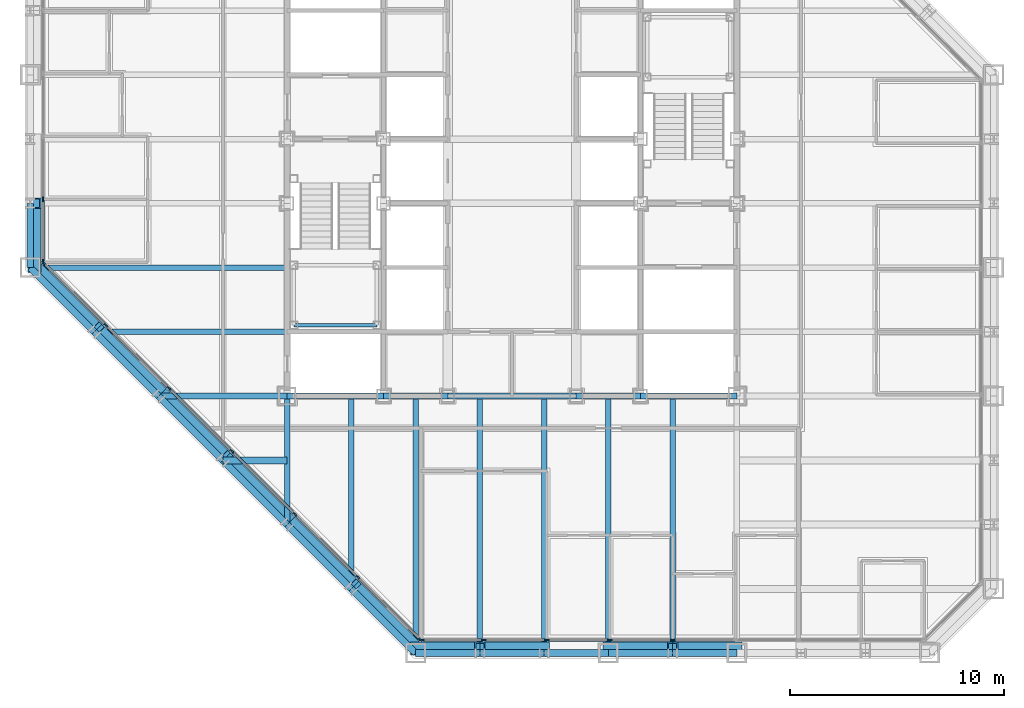
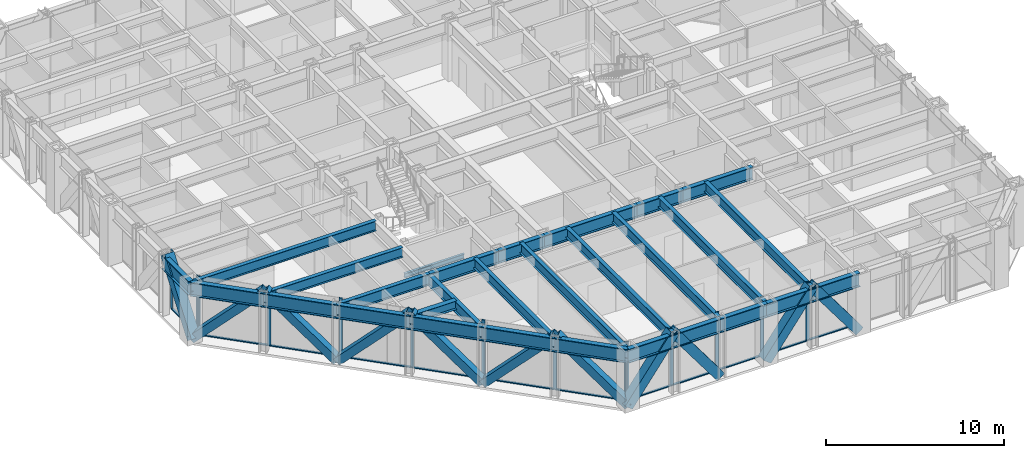
# One storey, part 4 of 16: 37 members, 29 beams, 3 elements without a shape of their own.
"""IFC4 building model written with IfcOpenShell, lengths in metres."""

from ifc_helpers import new_model, si_unit, direction, frame, origin, origin_2d, place, context, subcontext, project, spatial, rectangle, hollow_rectangle, i_section, extrude, material, layer, layer_set, material_profile, profile_set, type_object, element, aggregate, save


model = new_model("IFC4")

# Units and contexts
model_context = context("Model", 3, precision=1e-05, world=origin(), true_north=direction((0.0, 1.0)))
body_context = subcontext(model_context, "Body", "Model", "MODEL_VIEW")
ifc_project = project(units=[si_unit("LENGTHUNIT", "METRE"), si_unit("AREAUNIT", "SQUARE_METRE"), si_unit("VOLUMEUNIT", "CUBIC_METRE"), si_unit("PLANEANGLEUNIT", "RADIAN"), si_unit("MASSUNIT", "GRAM", prefix="KILO")], contexts=[model_context])

# Site, building, storey
site_placement = place(None, origin())
site = spatial("IfcSite", under=ifc_project, at=site_placement, CompositionType="ELEMENT")
building_placement = place(site_placement, origin())
building = spatial("IfcBuilding", under=site, at=building_placement, Name="Chuquiago Exchange Tower", CompositionType="ELEMENT")
storey_placement = place(building_placement, frame((0.0, 0.0, 144.60009765625)))
storey = spatial("IfcBuildingStorey", under=building, at=storey_placement, Name="L31", CompositionType="ELEMENT", Elevation=144.60009765625)

# Beams
ifc_material_1 = material(Name="Steel ASTM A992", Category="steel")
ifc_material_profile_1 = material_profile(ifc_material_1, i_section(OverallWidth=0.25390625, OverallDepth=0.683349609375, WebThickness=0.012451171875, FlangeThickness=0.018798828125, at=origin_2d()), Name="W27X94")
ifc_profile_set_1 = profile_set([ifc_material_profile_1], Name="Steel ASTM A992")
beam_type_1 = type_object("IfcBeamType", Name="B1 W27X94", PredefinedType="BEAM", material=ifc_profile_set_1)
beam_1_placement = place(storey_placement, frame((15.0, 12.0, 3.6982421875), z_axis=(0.0, -1.0, 0.0), x_axis=(1.0, 0.0, 0.0)))
element("IfcBeam", 1, at=beam_1_placement, inside=storey, type_object=beam_type_1, Name="FB-L32-infill-15_12-15_3-0", PredefinedType="BEAM", context=body_context, shape_type="SweptSolid", body=[
    extrude(i_section(OverallWidth=0.25390625, OverallDepth=0.683349609375, WebThickness=0.012451171875, FlangeThickness=0.018798828125, at=origin_2d()), origin(), (0.0, 0.0, 1.0), 9.0),
])
for number, where, z_axis, x_axis, name in (
    (2, (18.0, 12.0, 3.6982421875), (0.0, -1.0, 0.0), (1.0, 0.0, 0.0), "FB-L32-infill-18_12-18_-0-0"),
    (3, (21.0, 12.0, 3.6982421875), (0.0, -1.0, 0.0), (1.0, 0.0, 0.0), "FB-L32-infill-21_12-21_-0-0"),
    (4, (24.0, 12.0, 3.6982421875), (0.0, -1.0, 0.0), (1.0, 0.0, 0.0), "FB-L32-infill-24_12-24_-0-0"),
    (5, (27.0, 12.0, 3.6982421875), (0.0, -1.0, 0.0), (1.0, 0.0, 0.0), "FB-L32-infill-27_12-27_-0-0"),
    (6, (30.0, 12.0, 3.6982421875), (0.0, -1.0, 0.0), (1.0, 0.0, 0.0), "FB-L32-infill-30_12-30_-0-0"),
):
    element("IfcBeam", number, at=place(storey_placement, frame(where, z_axis=z_axis, x_axis=x_axis)), inside=storey, type_object=beam_type_1, Name=name, PredefinedType="BEAM", context=body_context, shape_type="SweptSolid", body=[
        extrude(i_section(OverallWidth=0.25390625, OverallDepth=0.683349609375, WebThickness=0.012451171875, FlangeThickness=0.018798828125, at=origin_2d()), origin(), (0.0, 0.0, 1.0), 12.0),
    ])
beam_2_placement = place(storey_placement, frame((12.0, 15.0, 3.6982421875), z_axis=(-1.0, 0.0, 0.0), x_axis=(0.0, -1.0, 0.0)))
element("IfcBeam", 7, at=beam_2_placement, inside=storey, type_object=beam_type_1, Name="FB-L32-infill-12_15-3_15-0", PredefinedType="BEAM", context=body_context, shape_type="SweptSolid", body=[
    extrude(i_section(OverallWidth=0.25390625, OverallDepth=0.683349609375, WebThickness=0.012451171875, FlangeThickness=0.018798828125, at=origin_2d()), origin(), (0.0, 0.0, 1.0), 9.0),
])
beam_3_placement = place(storey_placement, frame((12.0, 18.0, 3.6982421875), z_axis=(-1.0, 0.0, 0.0), x_axis=(0.0, -1.0, 0.0)))
element("IfcBeam", 8, at=beam_3_placement, inside=storey, type_object=beam_type_1, Name="FB-L32-infill-12_18--0_18-0", PredefinedType="BEAM", context=body_context, shape_type="SweptSolid", body=[
    extrude(i_section(OverallWidth=0.25390625, OverallDepth=0.683349609375, WebThickness=0.012451171875, FlangeThickness=0.018798828125, at=origin_2d()), origin(), (0.0, 0.0, 1.0), 12.0),
])
ifc_material_2 = material(Name="Steel ASTM A992", Category="steel")
ifc_material_profile_2 = material_profile(ifc_material_2, i_section(OverallWidth=0.3251953125, OverallDepth=0.612060546875, WebThickness=0.0126953125, FlangeThickness=0.01904296875, at=origin_2d()), Name="W24X104")
ifc_profile_set_2 = profile_set([ifc_material_profile_2], Name="Steel ASTM A992")
beam_type_2 = type_object("IfcBeamType", Name="B2 W24X104", PredefinedType="BEAM", material=ifc_profile_set_2)
beam_4_placement = place(storey_placement, frame((12.0, 9.0, 3.73388671875), z_axis=(-1.0, 0.0, 0.0), x_axis=(0.0, -1.0, 0.0)))
element("IfcBeam", 9, at=beam_4_placement, inside=storey, type_object=beam_type_2, Name="FB-L32-corner-12_9-9_9-0", PredefinedType="BEAM", context=body_context, shape_type="SweptSolid", body=[
    extrude(i_section(OverallWidth=0.3251953125, OverallDepth=0.612060546875, WebThickness=0.0126953125, FlangeThickness=0.01904296875, at=origin_2d()), origin(), (0.0, 0.0, 1.0), 3.0),
])
ifc_material_3 = material(Name="Steel ASTM A992", Category="steel")
ifc_material_profile_3 = material_profile(ifc_material_3, i_section(OverallWidth=0.2919921875, OverallDepth=0.8583984375, WebThickness=0.01708984375, FlangeThickness=0.031005859375, at=origin_2d()), Name="W33X169")
ifc_profile_set_3 = profile_set([ifc_material_profile_3], Name="Steel ASTM A992")
beam_type_3 = type_object("IfcBeamType", Name="B3 W33X169", PredefinedType="BEAM", material=ifc_profile_set_3)
beam_5_placement = place(storey_placement, frame((12.0, 12.0, 3.610595703125), z_axis=(1.0, 0.0, 0.0), x_axis=(0.0, 1.0, 0.0)))
element("IfcBeam", 10, at=beam_5_placement, inside=storey, type_object=beam_type_3, Name="CB-L32-12_12-16.5_12", PredefinedType="BEAM", context=body_context, shape_type="SweptSolid", body=[
    extrude(i_section(OverallWidth=0.2919921875, OverallDepth=0.8583984375, WebThickness=0.01708984375, FlangeThickness=0.031005859375, at=origin_2d()), origin(), (0.0, 0.0, 1.0), 4.5),
])
beam_6_placement = place(storey_placement, frame((16.5, 12.0, 3.610595703125), z_axis=(1.0, 0.0, 0.0), x_axis=(0.0, 1.0, 0.0)))
element("IfcBeam", 11, at=beam_6_placement, inside=storey, type_object=beam_type_3, Name="CB-L32-16.5_12-19.5_12", PredefinedType="BEAM", context=body_context, shape_type="SweptSolid", body=[
    extrude(i_section(OverallWidth=0.2919921875, OverallDepth=0.8583984375, WebThickness=0.01708984375, FlangeThickness=0.031005859375, at=origin_2d()), origin(), (0.0, 0.0, 1.0), 3.0),
])
beam_7_placement = place(storey_placement, frame((19.5, 12.0, 3.610595703125), z_axis=(1.0, 0.0, 0.0), x_axis=(0.0, 1.0, 0.0)))
element("IfcBeam", 12, at=beam_7_placement, inside=storey, type_object=beam_type_3, Name="CB-L32-19.5_12-25.5_12", PredefinedType="BEAM", context=body_context, shape_type="SweptSolid", body=[
    extrude(i_section(OverallWidth=0.2919921875, OverallDepth=0.8583984375, WebThickness=0.01708984375, FlangeThickness=0.031005859375, at=origin_2d()), origin(), (0.0, 0.0, 1.0), 6.0),
])
beam_8_placement = place(storey_placement, frame((25.5, 12.0, 3.610595703125), z_axis=(1.0, 0.0, 0.0), x_axis=(0.0, 1.0, 0.0)))
element("IfcBeam", 13, at=beam_8_placement, inside=storey, type_object=beam_type_3, Name="CB-L32-25.5_12-28.5_12", PredefinedType="BEAM", context=body_context, shape_type="SweptSolid", body=[
    extrude(i_section(OverallWidth=0.2919921875, OverallDepth=0.8583984375, WebThickness=0.01708984375, FlangeThickness=0.031005859375, at=origin_2d()), origin(), (0.0, 0.0, 1.0), 3.0),
])
beam_9_placement = place(storey_placement, frame((28.5, 12.0, 3.610595703125), z_axis=(1.0, 0.0, 0.0), x_axis=(0.0, 1.0, 0.0)))
element("IfcBeam", 14, at=beam_9_placement, inside=storey, type_object=beam_type_3, Name="CB-L32-28.5_12-33_12", PredefinedType="BEAM", context=body_context, shape_type="SweptSolid", body=[
    extrude(i_section(OverallWidth=0.2919921875, OverallDepth=0.8583984375, WebThickness=0.01708984375, FlangeThickness=0.031005859375, at=origin_2d()), origin(), (0.0, 0.0, 1.0), 4.5),
])

# Curtain wall, members
ifc_material_4 = material(Name="Aluminium curtain wall system", Category="aluminium")
ifc_layer_1 = layer(ifc_material_4, 0.22509765625)
ifc_layer_set_1 = layer_set([ifc_layer_1], Name="CW2 office curtain wall")
curtain_wall_type_1 = type_object("IfcCurtainWallType", Name="CW2 office curtain wall", PredefinedType="NOTDEFINED", material=ifc_layer_set_1)
curtain_wall_1_placement = place(storey_placement, origin())
curtain_wall_1 = element("IfcCurtainWall", 15, at=curtain_wall_1_placement, inside=storey, type_object=curtain_wall_type_1, Name="CW2 curtain wall L31", PredefinedType="NOTDEFINED")
ifc_material_5 = material(Name="Aluminium mullion, pale anodised", Category="aluminium")
ifc_material_profile_4 = material_profile(ifc_material_5, rectangle(XDim=0.06494140625, YDim=0.22509765625, at=origin_2d()), Name="AL 65x225")
ifc_profile_set_4 = profile_set([ifc_material_profile_4], Name="Aluminium mullion, pale anodised")
member_type_1 = type_object("IfcMemberType", Name="CW2-M mullion 65x225", PredefinedType="MULLION", material=ifc_profile_set_4)
member_1_placement = place(storey_placement, frame((18.281005859375, 0.60009765625, 0.0), z_axis=(0.0, 0.0, 1.0), x_axis=(0.0, 1.0, 0.0)))
member_1 = element("IfcMember", 16, at=member_1_placement, type_object=member_type_1, Name="CW2 mullion 1", PredefinedType="MULLION", context=body_context, shape_type="SweptSolid", body=[
    extrude(rectangle(XDim=0.06494140625, YDim=0.22509765625, at=origin_2d()), origin(), (0.0, 0.0, 1.0), 4.039794921875),
])
member_2_placement = place(storey_placement, frame((21.186279296875, 0.60009765625, 0.0), z_axis=(0.0, 0.0, 1.0), x_axis=(0.0, 1.0, 0.0)))
member_2 = element("IfcMember", 17, at=member_2_placement, type_object=member_type_1, Name="CW2 mullion 2", PredefinedType="MULLION", context=body_context, shape_type="SweptSolid", body=[
    extrude(rectangle(XDim=0.06494140625, YDim=0.22509765625, at=origin_2d()), origin(), (0.0, 0.0, 1.0), 4.039794921875),
])
member_3_placement = place(storey_placement, frame((24.124267578125, 0.60009765625, 0.0), z_axis=(0.0, 0.0, 1.0), x_axis=(0.0, 1.0, 0.0)))
member_3 = element("IfcMember", 18, at=member_3_placement, type_object=member_type_1, Name="CW2 mullion 3", PredefinedType="MULLION", context=body_context, shape_type="SweptSolid", body=[
    extrude(rectangle(XDim=0.06494140625, YDim=0.22509765625, at=origin_2d()), origin(), (0.0, 0.0, 1.0), 4.039794921875),
])
member_4_placement = place(storey_placement, frame((27.06201171875, 0.60009765625, 0.0), z_axis=(0.0, 0.0, 1.0), x_axis=(0.0, 1.0, 0.0)))
member_4 = element("IfcMember", 19, at=member_4_placement, type_object=member_type_1, Name="CW2 mullion 4", PredefinedType="MULLION", context=body_context, shape_type="SweptSolid", body=[
    extrude(rectangle(XDim=0.06494140625, YDim=0.22509765625, at=origin_2d()), origin(), (0.0, 0.0, 1.0), 4.039794921875),
])
member_5_placement = place(storey_placement, frame((30.0, 0.60009765625, 0.0), z_axis=(0.0, 0.0, 1.0), x_axis=(0.0, 1.0, 0.0)))
member_5 = element("IfcMember", 20, at=member_5_placement, type_object=member_type_1, Name="CW2 mullion 5", PredefinedType="MULLION", context=body_context, shape_type="SweptSolid", body=[
    extrude(rectangle(XDim=0.06494140625, YDim=0.22509765625, at=origin_2d()), origin(), (0.0, 0.0, 1.0), 4.039794921875),
])

curtain_wall_2_placement = place(storey_placement, origin())
curtain_wall_2 = element("IfcCurtainWall", 21, at=curtain_wall_2_placement, inside=storey, type_object=curtain_wall_type_1, Name="CW2 curtain wall L31", PredefinedType="NOTDEFINED")
member_6_placement = place(storey_placement, frame((0.60009765625, 21.186279296875, 0.0), z_axis=(0.0, 0.0, 1.0), x_axis=(1.0, 0.0, 0.0)))
member_6 = element("IfcMember", 22, at=member_6_placement, type_object=member_type_1, Name="CW2 mullion 8", PredefinedType="MULLION", context=body_context, shape_type="SweptSolid", body=[
    extrude(rectangle(XDim=0.06494140625, YDim=0.22509765625, at=origin_2d()), origin(), (0.0, 0.0, 1.0), 4.039794921875),
])
member_7_placement = place(storey_placement, frame((0.60009765625, 18.281005859375, 0.0), z_axis=(0.0, 0.0, 1.0), x_axis=(1.0, 0.0, 0.0)))
member_7 = element("IfcMember", 23, at=member_7_placement, type_object=member_type_1, Name="CW2 mullion 9", PredefinedType="MULLION", context=body_context, shape_type="SweptSolid", body=[
    extrude(rectangle(XDim=0.06494140625, YDim=0.22509765625, at=origin_2d()), origin(), (0.0, 0.0, 1.0), 4.039794921875),
])

# Member
ifc_material_6 = material(Name="Aluminium transom, pale anodised", Category="aluminium")
ifc_material_profile_5 = material_profile(ifc_material_6, rectangle(XDim=0.139892578125, YDim=0.06494140625, at=origin_2d()), Name="AL 140x65")
ifc_profile_set_5 = profile_set([ifc_material_profile_5], Name="Aluminium transom, pale anodised")
member_type_2 = type_object("IfcMemberType", Name="CW2-T transom 65x140", PredefinedType="MULLION", material=ifc_profile_set_5)
member_8_placement = place(storey_placement, frame((18.3134765625, 0.60009765625, 0.032470703125), z_axis=(1.0, 0.0, 0.0), x_axis=(0.0, 1.0, 0.0)))
member_8 = element("IfcMember", 24, at=member_8_placement, type_object=member_type_2, Name="CW2 transom 1.1", PredefinedType="MULLION", context=body_context, shape_type="SweptSolid", body=[
    extrude(rectangle(XDim=0.139892578125, YDim=0.06494140625, at=origin_2d()), origin(), (0.0, 0.0, 1.0), 2.84033203125),
])

member_9_placement = place(storey_placement, frame((21.218994140625, 0.60009765625, 0.032470703125), z_axis=(1.0, 0.0, 0.0), x_axis=(0.0, 1.0, 0.0)))
member_9 = element("IfcMember", 25, at=member_9_placement, type_object=member_type_2, Name="CW2 transom 2.1", PredefinedType="MULLION", context=body_context, shape_type="SweptSolid", body=[
    extrude(rectangle(XDim=0.139892578125, YDim=0.06494140625, at=origin_2d()), origin(), (0.0, 0.0, 1.0), 2.872802734375),
])

member_10_placement = place(storey_placement, frame((24.15673828125, 0.60009765625, 0.032470703125), z_axis=(1.0, 0.0, 0.0), x_axis=(0.0, 1.0, 0.0)))
member_10 = element("IfcMember", 26, at=member_10_placement, type_object=member_type_2, Name="CW2 transom 3.1", PredefinedType="MULLION", context=body_context, shape_type="SweptSolid", body=[
    extrude(rectangle(XDim=0.139892578125, YDim=0.06494140625, at=origin_2d()), origin(), (0.0, 0.0, 1.0), 2.872802734375),
])

member_11_placement = place(storey_placement, frame((27.0947265625, 0.60009765625, 0.032470703125), z_axis=(1.0, 0.0, 0.0), x_axis=(0.0, 1.0, 0.0)))
member_11 = element("IfcMember", 27, at=member_11_placement, type_object=member_type_2, Name="CW2 transom 4.1", PredefinedType="MULLION", context=body_context, shape_type="SweptSolid", body=[
    extrude(rectangle(XDim=0.139892578125, YDim=0.06494140625, at=origin_2d()), origin(), (0.0, 0.0, 1.0), 2.872802734375),
])

member_12_placement = place(storey_placement, frame((30.032470703125, 0.60009765625, 0.032470703125), z_axis=(1.0, 0.0, 0.0), x_axis=(0.0, 1.0, 0.0)))
member_12 = element("IfcMember", 28, at=member_12_placement, type_object=member_type_2, Name="CW2 transom 5.1", PredefinedType="MULLION", context=body_context, shape_type="SweptSolid", body=[
    extrude(rectangle(XDim=0.139892578125, YDim=0.06494140625, at=origin_2d()), origin(), (0.0, 0.0, 1.0), 2.872802734375),
])

aggregate(curtain_wall_1, [member_1, member_2, member_3, member_4, member_5, member_8, member_9, member_10, member_11, member_12])

member_13_placement = place(storey_placement, frame((0.60009765625, 21.15380859375, 0.032470703125), z_axis=(0.0, -1.0, 0.0), x_axis=(1.0, 0.0, 0.0)))
member_13 = element("IfcMember", 29, at=member_13_placement, type_object=member_type_2, Name="CW2 transom 8.1", PredefinedType="MULLION", context=body_context, shape_type="SweptSolid", body=[
    extrude(rectangle(XDim=0.139892578125, YDim=0.06494140625, at=origin_2d()), origin(), (0.0, 0.0, 1.0), 2.84033203125),
])

aggregate(curtain_wall_2, [member_6, member_7, member_13])

# Curtain wall, members
ifc_material_7 = material(Name="Aluminium curtain wall system", Category="aluminium")
ifc_layer_2 = layer(ifc_material_7, 0.199951171875)
ifc_layer_set_2 = layer_set([ifc_layer_2], Name="CW3 facet curtain wall")
curtain_wall_type_2 = type_object("IfcCurtainWallType", Name="CW3 facet curtain wall", PredefinedType="NOTDEFINED", material=ifc_layer_set_2)
curtain_wall_3_placement = place(storey_placement, origin())
curtain_wall_3 = element("IfcCurtainWall", 30, at=curtain_wall_3_placement, inside=storey, type_object=curtain_wall_type_2, Name="CW3 curtain wall L31", PredefinedType="NOTDEFINED")
ifc_material_8 = material(Name="Aluminium mullion, pale anodised", Category="aluminium")
ifc_material_profile_6 = material_profile(ifc_material_8, rectangle(XDim=0.06494140625, YDim=0.199951171875, at=origin_2d()), Name="AL 65x200")
ifc_profile_set_6 = profile_set([ifc_material_profile_6], Name="Aluminium mullion, pale anodised")
member_type_3 = type_object("IfcMemberType", Name="CW3-M mullion 65x200", PredefinedType="MULLION", material=ifc_profile_set_6)
member_14_placement = place(storey_placement, frame((0.623046875, 18.2255859375, 0.0), z_axis=(0.0, 0.0, 1.0), x_axis=(0.707106781187, 0.707106781187, 0.0)))
member_14 = element("IfcMember", 31, at=member_14_placement, type_object=member_type_3, Name="CW3 mullion 1", PredefinedType="MULLION", context=body_context, shape_type="SweptSolid", body=[
    extrude(rectangle(XDim=0.06494140625, YDim=0.199951171875, at=origin_2d()), origin(), (0.0, 0.0, 1.0), 4.039794921875),
])
member_15_placement = place(storey_placement, frame((3.54150390625, 15.30712890625, 0.0), z_axis=(0.0, 0.0, 1.0), x_axis=(0.707106781187, 0.707106781187, 0.0)))
member_15 = element("IfcMember", 32, at=member_15_placement, type_object=member_type_3, Name="CW3 mullion 2", PredefinedType="MULLION", context=body_context, shape_type="SweptSolid", body=[
    extrude(rectangle(XDim=0.06494140625, YDim=0.199951171875, at=origin_2d()), origin(), (0.0, 0.0, 1.0), 4.039794921875),
])
member_16_placement = place(storey_placement, frame((6.48291015625, 12.36572265625, 0.0), z_axis=(0.0, 0.0, 1.0), x_axis=(0.707106781187, 0.707106781187, 0.0)))
member_16 = element("IfcMember", 33, at=member_16_placement, type_object=member_type_3, Name="CW3 mullion 3", PredefinedType="MULLION", context=body_context, shape_type="SweptSolid", body=[
    extrude(rectangle(XDim=0.06494140625, YDim=0.199951171875, at=origin_2d()), origin(), (0.0, 0.0, 1.0), 4.039794921875),
])
member_17_placement = place(storey_placement, frame((9.42431640625, 9.42431640625, 0.0), z_axis=(0.0, 0.0, 1.0), x_axis=(0.707106781187, 0.707106781187, 0.0)))
member_17 = element("IfcMember", 34, at=member_17_placement, type_object=member_type_3, Name="CW3 mullion 4", PredefinedType="MULLION", context=body_context, shape_type="SweptSolid", body=[
    extrude(rectangle(XDim=0.06494140625, YDim=0.199951171875, at=origin_2d()), origin(), (0.0, 0.0, 1.0), 4.039794921875),
])
member_18_placement = place(storey_placement, frame((12.36572265625, 6.48291015625, 0.0), z_axis=(0.0, 0.0, 1.0), x_axis=(0.707106781187, 0.707106781187, 0.0)))
member_18 = element("IfcMember", 35, at=member_18_placement, type_object=member_type_3, Name="CW3 mullion 5", PredefinedType="MULLION", context=body_context, shape_type="SweptSolid", body=[
    extrude(rectangle(XDim=0.06494140625, YDim=0.199951171875, at=origin_2d()), origin(), (0.0, 0.0, 1.0), 4.039794921875),
])
member_19_placement = place(storey_placement, frame((15.30712890625, 3.54150390625, 0.0), z_axis=(0.0, 0.0, 1.0), x_axis=(0.707106781187, 0.707106781187, 0.0)))
member_19 = element("IfcMember", 36, at=member_19_placement, type_object=member_type_3, Name="CW3 mullion 6", PredefinedType="MULLION", context=body_context, shape_type="SweptSolid", body=[
    extrude(rectangle(XDim=0.06494140625, YDim=0.199951171875, at=origin_2d()), origin(), (0.0, 0.0, 1.0), 4.039794921875),
])
member_20_placement = place(storey_placement, frame((18.2255859375, 0.623046875, 0.0), z_axis=(0.0, 0.0, 1.0), x_axis=(0.707106781187, 0.707106781187, 0.0)))
member_20 = element("IfcMember", 37, at=member_20_placement, type_object=member_type_3, Name="CW3 mullion 7", PredefinedType="MULLION", context=body_context, shape_type="SweptSolid", body=[
    extrude(rectangle(XDim=0.06494140625, YDim=0.199951171875, at=origin_2d()), origin(), (0.0, 0.0, 1.0), 4.039794921875),
])
ifc_material_9 = material(Name="Aluminium transom, pale anodised", Category="aluminium")
ifc_material_profile_7 = material_profile(ifc_material_9, rectangle(XDim=0.139892578125, YDim=0.06494140625, at=origin_2d()), Name="AL 140x65")
ifc_profile_set_7 = profile_set([ifc_material_profile_7], Name="Aluminium transom, pale anodised")
member_type_4 = type_object("IfcMemberType", Name="CW3-T transom 65x140", PredefinedType="MULLION", material=ifc_profile_set_7)
member_21_placement = place(storey_placement, frame((0.64599609375, 18.20263671875, 0.032470703125), z_axis=(0.707106781187, -0.707106781187, 0.0), x_axis=(0.707106781187, 0.707106781187, 0.0)))
member_21 = element("IfcMember", 38, at=member_21_placement, type_object=member_type_4, Name="CW3 transom 1.1", PredefinedType="MULLION", context=body_context, shape_type="SweptSolid", body=[
    extrude(rectangle(XDim=0.139892578125, YDim=0.06494140625, at=origin_2d()), origin(), (0.0, 0.0, 1.0), 4.0625),
])
member_22_placement = place(storey_placement, frame((3.564453125, 15.2841796875, 0.032470703125), z_axis=(0.707106781187, -0.707106781187, 0.0), x_axis=(0.707106781187, 0.707106781187, 0.0)))
member_22 = element("IfcMember", 39, at=member_22_placement, type_object=member_type_4, Name="CW3 transom 2.1", PredefinedType="MULLION", context=body_context, shape_type="SweptSolid", body=[
    extrude(rectangle(XDim=0.139892578125, YDim=0.06494140625, at=origin_2d()), origin(), (0.0, 0.0, 1.0), 4.094970703125),
])
member_23_placement = place(storey_placement, frame((6.505859375, 12.3427734375, 0.032470703125), z_axis=(0.707106781187, -0.707106781187, 0.0), x_axis=(0.707106781187, 0.707106781187, 0.0)))
member_23 = element("IfcMember", 40, at=member_23_placement, type_object=member_type_4, Name="CW3 transom 3.1", PredefinedType="MULLION", context=body_context, shape_type="SweptSolid", body=[
    extrude(rectangle(XDim=0.139892578125, YDim=0.06494140625, at=origin_2d()), origin(), (0.0, 0.0, 1.0), 4.094970703125),
])
member_24_placement = place(storey_placement, frame((9.447265625, 9.4013671875, 0.032470703125), z_axis=(0.707106781187, -0.707106781187, 0.0), x_axis=(0.707106781187, 0.707106781187, 0.0)))
member_24 = element("IfcMember", 41, at=member_24_placement, type_object=member_type_4, Name="CW3 transom 4.1", PredefinedType="MULLION", context=body_context, shape_type="SweptSolid", body=[
    extrude(rectangle(XDim=0.139892578125, YDim=0.06494140625, at=origin_2d()), origin(), (0.0, 0.0, 1.0), 4.094970703125),
])
member_25_placement = place(storey_placement, frame((12.388671875, 6.4599609375, 0.032470703125), z_axis=(0.707106781187, -0.707106781187, 0.0), x_axis=(0.707106781187, 0.707106781187, 0.0)))
member_25 = element("IfcMember", 42, at=member_25_placement, type_object=member_type_4, Name="CW3 transom 5.1", PredefinedType="MULLION", context=body_context, shape_type="SweptSolid", body=[
    extrude(rectangle(XDim=0.139892578125, YDim=0.06494140625, at=origin_2d()), origin(), (0.0, 0.0, 1.0), 4.094970703125),
])
member_26_placement = place(storey_placement, frame((15.330078125, 3.5185546875, 0.032470703125), z_axis=(0.707106781187, -0.707106781187, 0.0), x_axis=(0.707106781187, 0.707106781187, 0.0)))
member_26 = element("IfcMember", 43, at=member_26_placement, type_object=member_type_4, Name="CW3 transom 6.1", PredefinedType="MULLION", context=body_context, shape_type="SweptSolid", body=[
    extrude(rectangle(XDim=0.139892578125, YDim=0.06494140625, at=origin_2d()), origin(), (0.0, 0.0, 1.0), 4.0625),
])
aggregate(curtain_wall_3, [member_14, member_15, member_16, member_17, member_18, member_19, member_20, member_21, member_22, member_23, member_24, member_25, member_26])

# Beams
ifc_material_10 = material(Name="Steel ASTM A992", Category="steel")
ifc_material_profile_8 = material_profile(ifc_material_10, i_section(OverallWidth=0.2666015625, OverallDepth=0.76953125, WebThickness=0.015625, FlangeThickness=0.025390625, at=origin_2d()), Name="W30X132")
ifc_profile_set_8 = profile_set([ifc_material_profile_8], Name="Steel ASTM A992")
beam_type_4 = type_object("IfcBeamType", Name="G1 W30X132", PredefinedType="BEAM", material=ifc_profile_set_8)
for number, where, z_axis, x_axis, name in (
    (44, (12.0, 12.0, 3.655029296875), (0.0, -1.0, 0.0), (1.0, 0.0, 0.0), "FB-L32-girder-12_12-12_6-0"),
    (45, (12.0, 12.0, 3.655029296875), (-1.0, 0.0, 0.0), (0.0, -1.0, 0.0), "FB-L32-girder-12_12-6_12-0"),
):
    element("IfcBeam", number, at=place(storey_placement, frame(where, z_axis=z_axis, x_axis=x_axis)), inside=storey, type_object=beam_type_4, Name=name, PredefinedType="BEAM", context=body_context, shape_type="SweptSolid", body=[
        extrude(i_section(OverallWidth=0.2666015625, OverallDepth=0.76953125, WebThickness=0.015625, FlangeThickness=0.025390625, at=origin_2d()), origin(), (0.0, 0.0, 1.0), 6.0),
    ])

# Members
ifc_material_11 = material(Name="Steel ASTM A500 Grade C", Category="steel")
ifc_material_profile_9 = material_profile(ifc_material_11, hollow_rectangle(XDim=0.508056640625, YDim=0.508056640625, WallThickness=0.017822265625, at=origin_2d()), Name="HSS20X20X3/4")
ifc_profile_set_9 = profile_set([ifc_material_profile_9], Name="Steel ASTM A500 Grade C")
member_type_5 = type_object("IfcMemberType", Name="LB1 HSS20X20X3/4", PredefinedType="BRACE", material=ifc_profile_set_9)
for number, where, z_axis, x_axis, name in (
    (46, (0.177490234375, 18.177490234375, 0.0), (0.51209198167, -0.51209198167, 0.689582195694), (0.707106781187, 0.707106781187, 0.0), "LB-L31-0_18-3_15"),
    (47, (6.177490234375, 12.177490234375, 0.0), (-0.51209198167, 0.51209198167, 0.689582195694), (-0.707106781187, -0.707106781187, 0.0), "LB-L31-3_15-6_12"),
    (48, (6.177490234375, 12.177490234375, 0.0), (0.51209198167, -0.51209198167, 0.689582195694), (0.707106781187, 0.707106781187, 0.0), "LB-L31-6_12-9_9"),
    (49, (12.177490234375, 6.177490234375, 0.0), (-0.51209198167, 0.51209198167, 0.689582195694), (-0.707106781187, -0.707106781187, 0.0), "LB-L31-9_9-12_6"),
    (50, (12.177490234375, 6.177490234375, 0.0), (0.51209198167, -0.51209198167, 0.689582195694), (0.707106781187, 0.707106781187, 0.0), "LB-L31-12_6-15_3"),
    (51, (18.177490234375, 0.177490234375, 0.0), (-0.51209198167, 0.51209198167, 0.689582195694), (-0.707106781187, -0.707106781187, 0.0), "LB-L31-15_3-18_0"),
):
    element("IfcMember", number, at=place(storey_placement, frame(where, z_axis=z_axis, x_axis=x_axis)), inside=storey, type_object=member_type_5, Name=name, PredefinedType="BRACE", context=body_context, shape_type="SweptSolid", body=[
        extrude(hollow_rectangle(XDim=0.508056640625, YDim=0.508056640625, WallThickness=0.017822265625, at=origin_2d()), origin(), (0.0, 0.0, 1.0), 5.8583984375),
    ])

# Beam
ifc_material_12 = material(Name="Steel ASTM A992", Category="steel")
ifc_material_profile_10 = material_profile(ifc_material_12, i_section(OverallWidth=0.164794921875, OverallDepth=0.309814453125, WebThickness=0.005859375, FlangeThickness=0.009765625, at=origin_2d()), Name="W12X26")
ifc_profile_set_10 = profile_set([ifc_material_profile_10], Name="Steel ASTM A992")
beam_type_5 = type_object("IfcBeamType", Name="LT1 W12X26", PredefinedType="BEAM", material=ifc_profile_set_10)
beam_10_placement = place(storey_placement, frame((12.31005859375, 15.31005859375, 1.7451171875), z_axis=(1.0, 0.0, 0.0), x_axis=(0.0, 1.0, 0.0)))
element("IfcBeam", 52, at=beam_10_placement, inside=storey, type_object=beam_type_5, Name="Stair ST1 L31 landing 1 trimmer", PredefinedType="BEAM", context=body_context, shape_type="SweptSolid", body=[
    extrude(i_section(OverallWidth=0.164794921875, OverallDepth=0.309814453125, WebThickness=0.005859375, FlangeThickness=0.009765625, at=origin_2d()), origin(), (0.0, 0.0, 1.0), 3.8798828125),
])

# Members
ifc_material_13 = material(Name="Steel ASTM A572 Grade 50", Category="steel")
ifc_material_profile_11 = material_profile(ifc_material_13, hollow_rectangle(XDim=0.60009765625, YDim=0.60009765625, WallThickness=0.06005859375, at=origin_2d()), Name="BOX600X600X60")
ifc_profile_set_11 = profile_set([ifc_material_profile_11], Name="Steel ASTM A572 Grade 50")
member_type_6 = type_object("IfcMemberType", Name="MB2 BOX600X600X60", PredefinedType="BRACE", material=ifc_profile_set_11)
for number, where, z_axis, x_axis, name in (
    (53, (18.0, 0.205078125, 0.0), (0.596197146086, 0.0, 0.802838067732), (0.0, 1.0, 0.0), "Mega diagonal L31 S face"),
    (54, (24.0, 0.205078125, 0.0), (-0.596197146086, 0.0, 0.802838067732), (0.0, -1.0, 0.0), "Mega diagonal L31 S face"),
    (55, (27.0, 0.205078125, 0.0), (0.596197146086, 0.0, 0.802838067732), (0.0, 1.0, 0.0), "Mega diagonal L31 S face"),
    (56, (33.0, 0.205078125, 0.0), (-0.596197146086, 0.0, 0.802838067732), (0.0, -1.0, 0.0), "Mega diagonal L31 S face"),
    (57, (0.205078125, 18.0, 0.0), (0.0, 0.596197146086, 0.802838067732), (-1.0, 0.0, 0.0), "Mega diagonal L31 W face"),
):
    element("IfcMember", number, at=place(storey_placement, frame(where, z_axis=z_axis, x_axis=x_axis)), inside=storey, type_object=member_type_6, Name=name, PredefinedType="BRACE", context=body_context, shape_type="SweptSolid", body=[
        extrude(hollow_rectangle(XDim=0.60009765625, YDim=0.60009765625, WallThickness=0.06005859375, at=origin_2d()), origin(), (0.0, 0.0, 1.0), 5.031982421875),
    ])

# Beams
ifc_material_14 = material(Name="Steel ASTM A992", Category="steel")
ifc_material_profile_12 = material_profile(ifc_material_14, i_section(OverallWidth=0.309814453125, OverallDepth=0.949951171875, WebThickness=0.0244140625, FlangeThickness=0.0439453125, at=origin_2d()), Name="W36X256")
ifc_profile_set_12 = profile_set([ifc_material_profile_12], Name="Steel ASTM A992")
beam_type_6 = type_object("IfcBeamType", Name="SP2 W36X256", PredefinedType="SPANDREL", material=ifc_profile_set_12)
for number, where, z_axis, x_axis, name in (
    (58, (18.0, 0.0, 3.56494140625), (1.0, 0.0, 0.0), (0.0, 1.0, 0.0), "SPB-L32-18_0-21_0"),
    (59, (21.0, 0.0, 3.56494140625), (1.0, 0.0, 0.0), (0.0, 1.0, 0.0), "SPB-L32-21_0-24_0"),
    (60, (24.0, 0.0, 3.56494140625), (1.0, 0.0, 0.0), (0.0, 1.0, 0.0), "SPB-L32-24_0-27_0"),
    (61, (27.0, 0.0, 3.56494140625), (1.0, 0.0, 0.0), (0.0, 1.0, 0.0), "SPB-L32-27_0-30_0"),
    (62, (30.0, 0.0, 3.56494140625), (1.0, 0.0, 0.0), (0.0, 1.0, 0.0), "SPB-L32-30_0-33_0"),
    (63, (0.0, 21.0, 3.56494140625), (0.0, -1.0, 0.0), (1.0, 0.0, 0.0), "SPB-L32-0_21-0_18"),
):
    element("IfcBeam", number, at=place(storey_placement, frame(where, z_axis=z_axis, x_axis=x_axis)), inside=storey, type_object=beam_type_6, Name=name, PredefinedType="SPANDREL", context=body_context, shape_type="SweptSolid", body=[
        extrude(i_section(OverallWidth=0.309814453125, OverallDepth=0.949951171875, WebThickness=0.0244140625, FlangeThickness=0.0439453125, at=origin_2d()), origin(), (0.0, 0.0, 1.0), 3.0),
    ])
for number, where, z_axis, x_axis, name in (
    (64, (0.0, 18.0, 3.56494140625), (0.707106781187, -0.707106781187, 0.0), (0.707106781187, 0.707106781187, 0.0), "SPB-L32-0_18-3_15"),
    (65, (3.0, 15.0, 3.56494140625), (0.707106781187, -0.707106781187, 0.0), (0.707106781187, 0.707106781187, 0.0), "SPB-L32-3_15-6_12"),
    (66, (6.0, 12.0, 3.56494140625), (0.707106781187, -0.707106781187, 0.0), (0.707106781187, 0.707106781187, 0.0), "SPB-L32-6_12-9_9"),
    (67, (9.0, 9.0, 3.56494140625), (0.707106781187, -0.707106781187, 0.0), (0.707106781187, 0.707106781187, 0.0), "SPB-L32-9_9-12_6"),
    (68, (12.0, 6.0, 3.56494140625), (0.707106781187, -0.707106781187, 0.0), (0.707106781187, 0.707106781187, 0.0), "SPB-L32-12_6-15_3"),
    (69, (15.0, 3.0, 3.56494140625), (0.707106781187, -0.707106781187, 0.0), (0.707106781187, 0.707106781187, 0.0), "SPB-L32-15_3-18_0"),
):
    element("IfcBeam", number, at=place(storey_placement, frame(where, z_axis=z_axis, x_axis=x_axis)), inside=storey, type_object=beam_type_6, Name=name, PredefinedType="SPANDREL", context=body_context, shape_type="SweptSolid", body=[
        extrude(i_section(OverallWidth=0.309814453125, OverallDepth=0.949951171875, WebThickness=0.0244140625, FlangeThickness=0.0439453125, at=origin_2d()), origin(), (0.0, 0.0, 1.0), 4.24267578125),
    ])

save(model, "model.ifc")
